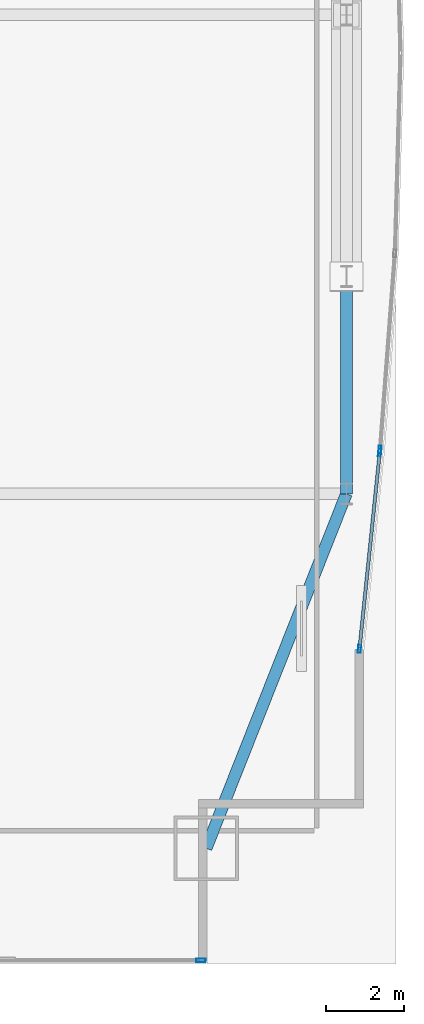
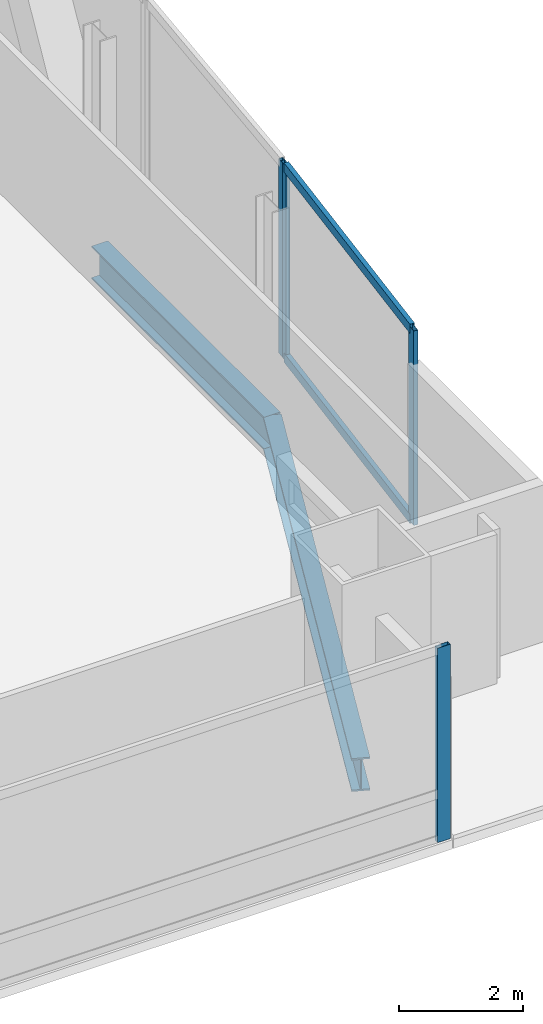
# One storey, part 21 of 35: 6 members, 2 beams, 3 elements without a shape of their own.
"""IFC4 building model written with IfcOpenShell, lengths in metres."""

from ifc_helpers import new_model, si_unit, direction, frame, origin, origin_2d, place, context, subcontext, project, spatial, hollow_rectangle, i_section, extrude, material, material_profile, profile_set, type_object, element, aggregate, save


model = new_model("IFC4")

# Units and contexts
model_context = context("Model", 3, precision=1e-05, world=origin(), true_north=direction((0.0, 1.0)))
body_context = subcontext(model_context, "Body", "Model", "MODEL_VIEW")
ifc_project = project(units=[si_unit("LENGTHUNIT", "METRE"), si_unit("AREAUNIT", "SQUARE_METRE"), si_unit("VOLUMEUNIT", "CUBIC_METRE"), si_unit("PLANEANGLEUNIT", "RADIAN"), si_unit("MASSUNIT", "GRAM", prefix="KILO")], contexts=[model_context])

# Site, building, storey
site_placement = place(None, origin())
site = spatial("IfcSite", under=ifc_project, at=site_placement, CompositionType="ELEMENT")
building_placement = place(site_placement, origin())
building = spatial("IfcBuilding", under=site, at=building_placement, Name="Khoronbel Lancet Exchange", CompositionType="ELEMENT")
storey_placement = place(building_placement, frame((0.0, 0.0, 25.800048828125)))
storey = spatial("IfcBuildingStorey", under=building, at=storey_placement, Name="L05", CompositionType="ELEMENT", Elevation=25.800048828125)

# Beams
ifc_material_1 = material(Name="Steel S355", Category="steel")
ifc_material_profile_1 = material_profile(ifc_material_1, i_section(OverallWidth=0.300048828125, OverallDepth=0.64990234375, WebThickness=0.01611328125, FlangeThickness=0.031005859375, at=origin_2d()), Name="HEB 650")
ifc_profile_set_1 = profile_set([ifc_material_profile_1], Name="Steel S355")
beam_type = type_object("IfcBeamType", Name="BM-BSP1", PredefinedType="SPANDREL", material=ifc_profile_set_1)
beam_1_placement = place(storey_placement, frame((68.050048828125, 10.14990234375, -0.505126953125), z_axis=(0.367828403855, 0.929893684954, 0.0), x_axis=(-0.929893684954, 0.367828403855, 0.0)))
element("IfcBeam", 1, at=beam_1_placement, inside=storey, type_object=beam_type, Name="Level L05 perimeter spandrel beam SP08", PredefinedType="SPANDREL", context=body_context, shape_type="SweptSolid", body=[
    extrude(i_section(OverallWidth=0.300048828125, OverallDepth=0.64990234375, WebThickness=0.01611328125, FlangeThickness=0.031005859375, at=origin_2d()), origin(), (0.0, 0.0, 1.0), 9.732421875),
])
beam_2_placement = place(storey_placement, frame((71.6298828125, 19.199951171875, -0.505126953125), z_axis=(0.0, 1.0, 0.0), x_axis=(-1.0, 0.0, 0.0)))
element("IfcBeam", 2, at=beam_2_placement, inside=storey, type_object=beam_type, Name="Level L05 perimeter spandrel beam SP09", PredefinedType="SPANDREL", context=body_context, shape_type="SweptSolid", body=[
    extrude(i_section(OverallWidth=0.300048828125, OverallDepth=0.64990234375, WebThickness=0.01611328125, FlangeThickness=0.031005859375, at=origin_2d()), origin(), (0.0, 0.0, 1.0), 5.550048828125),
])

# Curtain wall, member
ifc_material_2 = material(Name="Low-E Solar Control Insulating Glass", Category="glass")
curtain_wall_type_1 = type_object("IfcCurtainWallType", Name="CW-1", PredefinedType="NOTDEFINED", material=ifc_material_2)
curtain_wall_1_placement = place(storey_placement, origin())
curtain_wall_1 = element("IfcCurtainWall", 3, at=curtain_wall_1_placement, inside=storey, type_object=curtain_wall_type_1, Name="Unitised curtain wall CW-L05-SEV", PredefinedType="NOTDEFINED")
ifc_material_3 = material(Name="Bronze-Anodised Aluminium 6063-T6", Category="aluminium")
ifc_material_profile_2 = material_profile(ifc_material_3, hollow_rectangle(XDim=0.0849609375, YDim=0.239990234375, WallThickness=0.006103515625, at=origin_2d()), Name="ALU MULLION 85x240")
ifc_profile_set_2 = profile_set([ifc_material_profile_2], Name="Bronze-Anodised Aluminium 6063-T6")
member_type_1 = type_object("IfcMemberType", Name="MEM-CWM1", PredefinedType="MULLION", material=ifc_profile_set_2)
member_1_placement = place(storey_placement, frame((67.91748046875, 7.2900390625, 0.0), z_axis=(0.0, 0.0, 1.0), x_axis=(0.0, 1.0, 0.0)))
member_1 = element("IfcMember", 4, at=member_1_placement, type_object=member_type_1, Name="CW1 mullion 2", PredefinedType="MULLION", context=body_context, shape_type="SweptSolid", body=[
    extrude(hollow_rectangle(XDim=0.0849609375, YDim=0.239990234375, WallThickness=0.006103515625, at=origin_2d()), origin(), (0.0, 0.0, 1.0), 3.820068359375),
])
aggregate(curtain_wall_1, [member_1])

curtain_wall_type_2 = type_object("IfcCurtainWallType", Name="CW-4", PredefinedType="NOTDEFINED", material=ifc_material_2)
curtain_wall_2_placement = place(storey_placement, origin())
curtain_wall_2 = element("IfcCurtainWall", 5, at=curtain_wall_2_placement, inside=storey, type_object=curtain_wall_type_2, Name="Unitised curtain wall CW-L05-E21", PredefinedType="NOTDEFINED")
ifc_material_profile_3 = material_profile(ifc_material_3, hollow_rectangle(XDim=0.074951171875, YDim=0.199951171875, WallThickness=0.0048828125, at=origin_2d()), Name="ALU MULLION 75x200")
ifc_profile_set_3 = profile_set([ifc_material_profile_3], Name="Bronze-Anodised Aluminium 6063-T6")
member_type_2 = type_object("IfcMemberType", Name="MEM-CWM2", PredefinedType="MULLION", material=ifc_profile_set_3)
member_2_placement = place(storey_placement, frame((72.488037109375, 20.32861328125, 0.0), z_axis=(0.0, 0.0, 1.0), x_axis=(0.997153744129, -0.075395030141, 0.0)))
member_2 = element("IfcMember", 6, at=member_2_placement, type_object=member_type_2, Name="CW4 mullion 2", PredefinedType="MULLION", context=body_context, shape_type="SweptSolid", body=[
    extrude(hollow_rectangle(XDim=0.074951171875, YDim=0.199951171875, WallThickness=0.0048828125, at=origin_2d()), origin(), (0.0, 0.0, 1.0), 3.820068359375),
])
aggregate(curtain_wall_2, [member_2])

# Curtain wall, members
curtain_wall_3_placement = place(storey_placement, origin())
curtain_wall_3 = element("IfcCurtainWall", 7, at=curtain_wall_3_placement, inside=storey, type_object=curtain_wall_type_2, Name="Unitised curtain wall CW-L05-E22", PredefinedType="NOTDEFINED")
member_3_placement = place(storey_placement, frame((72.4814453125, 20.25390625, 0.0), z_axis=(0.0, 0.0, 1.0), x_axis=(0.994709998998, -0.102723015403, 0.0)))
member_3 = element("IfcMember", 8, at=member_3_placement, type_object=member_type_2, Name="CW4 mullion 1", PredefinedType="MULLION", context=body_context, shape_type="SweptSolid", body=[
    extrude(hollow_rectangle(XDim=0.074951171875, YDim=0.199951171875, WallThickness=0.0048828125, at=origin_2d()), origin(), (0.0, 0.0, 1.0), 3.820068359375),
])
member_4_placement = place(storey_placement, frame((71.9638671875, 15.241943359375, 0.0), z_axis=(0.0, 0.0, 1.0), x_axis=(0.994709998998, -0.102723015403, 0.0)))
member_4 = element("IfcMember", 9, at=member_4_placement, type_object=member_type_2, Name="CW4 mullion 2", PredefinedType="MULLION", context=body_context, shape_type="SweptSolid", body=[
    extrude(hollow_rectangle(XDim=0.074951171875, YDim=0.199951171875, WallThickness=0.0048828125, at=origin_2d()), origin(), (0.0, 0.0, 1.0), 3.820068359375),
])
ifc_material_profile_4 = material_profile(ifc_material_3, hollow_rectangle(XDim=0.0849609375, YDim=0.179931640625, WallThickness=0.0048828125, at=origin_2d()), Name="ALU TRANSOM 85x180")
ifc_profile_set_4 = profile_set([ifc_material_profile_4], Name="Bronze-Anodised Aluminium 6063-T6")
member_type_3 = type_object("IfcMemberType", Name="MEM-CWT1", PredefinedType="USERDEFINED", material=ifc_profile_set_4)
member_5_placement = place(storey_placement, frame((72.4775390625, 20.216796875, 0.04248046875), z_axis=(-0.102697780779, -0.994712604637, 0.0), x_axis=(0.994712604637, -0.102697780779, 0.0)))
member_5 = element("IfcMember", 10, at=member_5_placement, type_object=member_type_3, Name="CW4 transom 1.1", ObjectType="TRANSOM", PredefinedType="USERDEFINED", context=body_context, shape_type="SweptSolid", body=[
    extrude(hollow_rectangle(XDim=0.0849609375, YDim=0.179931640625, WallThickness=0.0048828125, at=origin_2d()), origin(), (0.0, 0.0, 1.0), 4.9638671875),
])
member_6_placement = place(storey_placement, frame((72.4775390625, 20.216796875, 3.77734375), z_axis=(-0.102697780779, -0.994712604637, 0.0), x_axis=(0.994712604637, -0.102697780779, 0.0)))
member_6 = element("IfcMember", 11, at=member_6_placement, type_object=member_type_3, Name="CW4 transom 1.2", ObjectType="TRANSOM", PredefinedType="USERDEFINED", context=body_context, shape_type="SweptSolid", body=[
    extrude(hollow_rectangle(XDim=0.0849609375, YDim=0.179931640625, WallThickness=0.0048828125, at=origin_2d()), origin(), (0.0, 0.0, 1.0), 4.9638671875),
])
aggregate(curtain_wall_3, [member_3, member_4, member_5, member_6])

save(model, "model.ifc")
